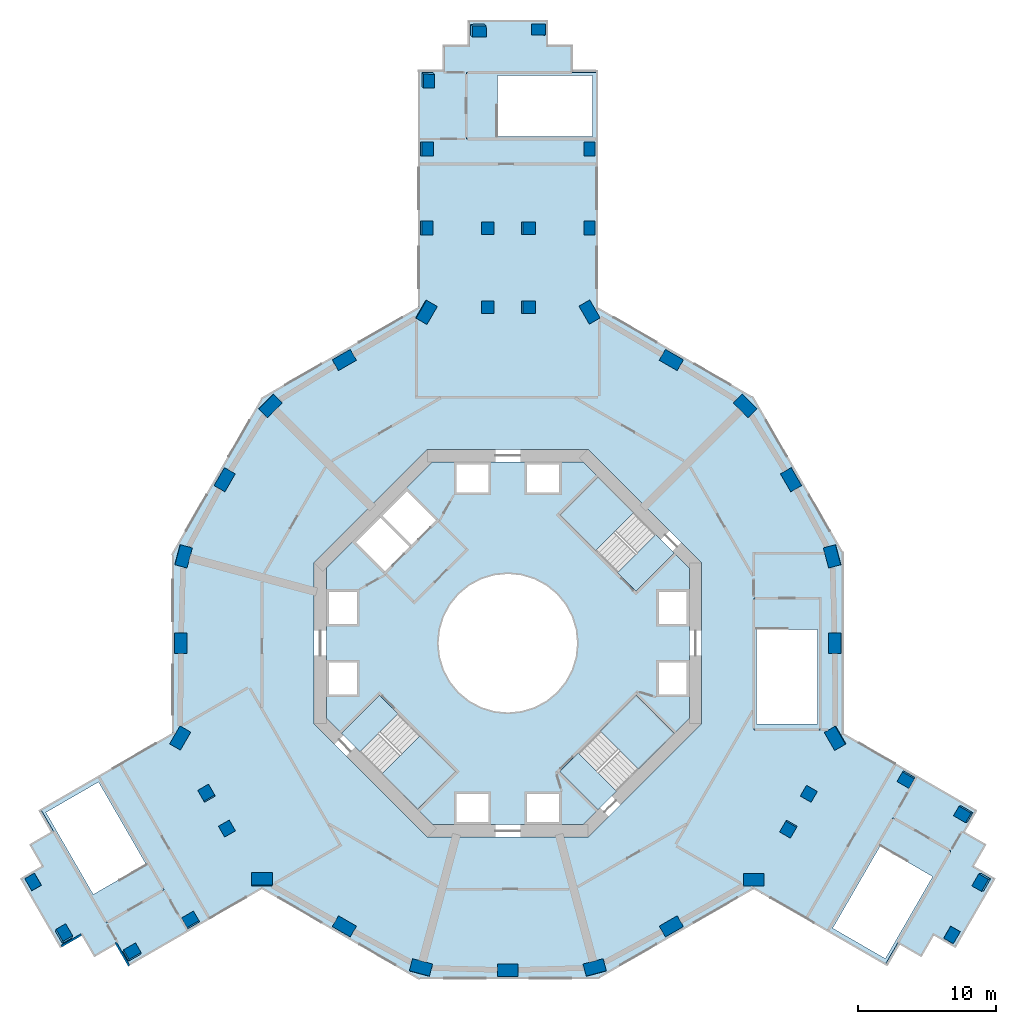
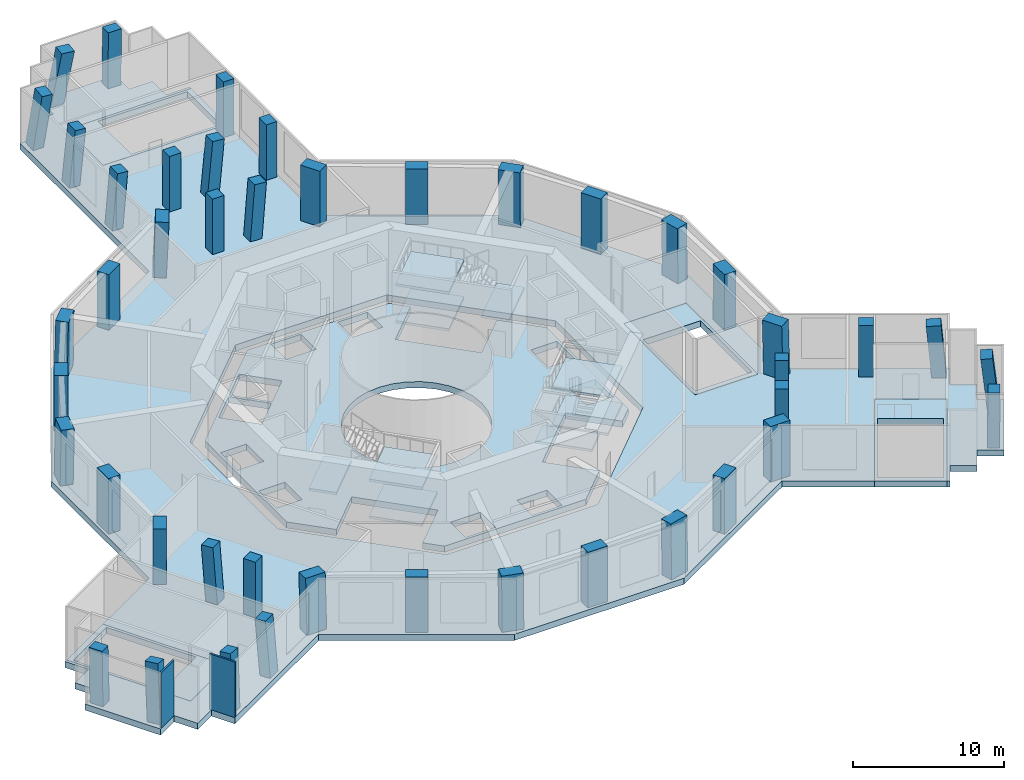
# One storey, part 1 of 12: 44 columns, 15 slabs, 2 walls, 3 elements without a shape of their own.
"""IFC4 building model written with IfcOpenShell, lengths in metres."""

from ifc_helpers import new_model, si_unit, direction, frame, frame_2d, origin, origin_2d, place, context, subcontext, project, spatial, polyline, rectangle, outline, extrude, material, layer, layer_set, material_profile, profile_set, type_object, element, aggregate, save


model = new_model("IFC4")

# Units and contexts
model_context = context("Model", 3, precision=1e-05, world=origin(), true_north=direction((0.0, 1.0)))
body_context = subcontext(model_context, "Body", "Model", "MODEL_VIEW")
ifc_project = project(units=[si_unit("LENGTHUNIT", "METRE"), si_unit("AREAUNIT", "SQUARE_METRE"), si_unit("VOLUMEUNIT", "CUBIC_METRE"), si_unit("PLANEANGLEUNIT", "RADIAN"), si_unit("MASSUNIT", "GRAM", prefix="KILO")], contexts=[model_context])

# Site, building, storey
site_placement = place(None, origin())
site = spatial("IfcSite", under=ifc_project, at=site_placement, CompositionType="ELEMENT")
building_placement = place(site_placement, origin())
building = spatial("IfcBuilding", under=site, at=building_placement, Name="Verdalira Terraces Hotel", CompositionType="ELEMENT")
storey_placement = place(building_placement, frame((0.0, 0.0, 28.0)))
storey = spatial("IfcBuildingStorey", under=building, at=storey_placement, Name="L05", CompositionType="ELEMENT", Elevation=28.0)

# Columns
ifc_material_1 = material(Name="Concrete C80", Category="concrete")
ifc_material_profile_1 = material_profile(ifc_material_1, rectangle(XDim=1.0, YDim=0.800049, at=origin_2d()), Name="RC 1000X800")
ifc_profile_set_1 = profile_set([ifc_material_profile_1], Name="Concrete C80")
column_type_1 = type_object("IfcColumnType", Name="Column RC 1000X800 C80", PredefinedType="COLUMN", material=ifc_profile_set_1)
for number, where, z_axis, x_axis, name in (
    (1, (5.899902, 29.972168, 0.0), (0.0, 0.0, 1.0), (0.0, 1.0, 0.0), "Column C01"),
    (2, (5.899902, 35.686035, 0.0), (0.0, 0.0, 1.0), (0.0, 1.0, 0.0), "Column C02"),
):
    element("IfcColumn", number, at=place(storey_placement, frame(where, z_axis=z_axis, x_axis=x_axis)), inside=storey, type_object=column_type_1, Name=name, PredefinedType="COLUMN", context=body_context, shape_type="SweptSolid", body=[
        extrude(rectangle(XDim=1.0, YDim=0.800049, at=origin_2d()), origin(), (0.0, 0.0, 1.0), 4.5),
    ])
column_1_placement = place(storey_placement, frame((-5.800049, 40.699951, 0.0), z_axis=(0.099004221, -0.099004221, 0.990149649), x_axis=(-0.00985047, -0.995087013, -0.098512964)))
element("IfcColumn", 3, at=column_1_placement, inside=storey, type_object=column_type_1, Name="Column C03", PredefinedType="COLUMN", context=body_context, shape_type="SweptSolid", body=[
    extrude(rectangle(XDim=1.0, YDim=0.800049, at=origin_2d()), origin(), (0.0, 0.0, 1.0), 4.544678),
])
column_2_placement = place(storey_placement, frame((-5.899902, 35.686035, 0.0), z_axis=(0.099493029, 0.0, 0.995038259), x_axis=(0.0, -1.0, 0.0)))
element("IfcColumn", 4, at=column_2_placement, inside=storey, type_object=column_type_1, Name="Column C04", PredefinedType="COLUMN", context=body_context, shape_type="SweptSolid", body=[
    extrude(rectangle(XDim=1.0, YDim=0.800049, at=origin_2d()), origin(), (0.0, 0.0, 1.0), 4.522461),
])
column_3_placement = place(storey_placement, frame((-5.899902, 29.972168, 0.0), z_axis=(0.084655948, 0.0, 0.996410242), x_axis=(0.0, -1.0, 0.0)))
element("IfcColumn", 5, at=column_3_placement, inside=storey, type_object=column_type_1, Name="Column C05", PredefinedType="COLUMN", context=body_context, shape_type="SweptSolid", body=[
    extrude(rectangle(XDim=1.0, YDim=0.800049, at=origin_2d()), origin(), (0.0, 0.0, 1.0), 4.516113),
])
column_4_placement = place(storey_placement, frame((-34.268799, -17.244629, 0.0), z_axis=(-0.011392437, 0.003037983, 0.999930489), x_axis=(0.500958571, -0.86543111, 0.008336884)))
element("IfcColumn", 6, at=column_4_placement, inside=storey, type_object=column_type_1, Name="Column C13", PredefinedType="COLUMN", context=body_context, shape_type="SweptSolid", body=[
    extrude(rectangle(XDim=1.0, YDim=0.800049, at=origin_2d()), origin(), (0.0, 0.0, 1.0), 4.500244),
])
column_5_placement = place(storey_placement, frame((-32.068848, -21.05542, 0.0), z_axis=(0.036839002, 0.137474992, 0.98981994), x_axis=(0.506261539, -0.856548091, 0.100123031)))
element("IfcColumn", 7, at=column_5_placement, inside=storey, type_object=column_type_1, Name="Column C14", PredefinedType="COLUMN", context=body_context, shape_type="SweptSolid", body=[
    extrude(rectangle(XDim=1.0, YDim=0.800049, at=origin_2d()), origin(), (0.0, 0.0, 1.0), 4.546387),
])
column_6_placement = place(storey_placement, frame((-27.151123, -22.372803, 0.0), z_axis=(0.030280943, 0.113041669, 0.993128715), x_axis=(0.866456981, 0.492394003, -0.082464814)))
element("IfcColumn", 8, at=column_6_placement, inside=storey, type_object=column_type_1, Name="Column C15", PredefinedType="COLUMN", context=body_context, shape_type="SweptSolid", body=[
    extrude(rectangle(XDim=1.0, YDim=0.800049, at=origin_2d()), origin(), (0.0, 0.0, 1.0), 4.53125),
])
column_7_placement = place(storey_placement, frame((-22.882812, -20.02417, 0.0), z_axis=(-0.041522775, 0.07190793, 0.996546591), x_axis=(0.865990401, 0.500060622, 0.0)))
element("IfcColumn", 9, at=column_7_placement, inside=storey, type_object=column_type_1, Name="Column C16", PredefinedType="COLUMN", context=body_context, shape_type="SweptSolid", body=[
    extrude(rectangle(XDim=1.0, YDim=0.800049, at=origin_2d()), origin(), (0.0, 0.0, 1.0), 4.515625),
])
column_8_placement = place(storey_placement, frame((32.068848, -21.05542, 0.0), z_axis=(0.003037985, -0.011338195, 0.999931106), x_axis=(0.500048177, 0.865957813, 0.008299831)))
element("IfcColumn", 10, at=column_8_placement, inside=storey, type_object=column_type_1, Name="Column C24", PredefinedType="COLUMN", context=body_context, shape_type="SweptSolid", body=[
    extrude(rectangle(XDim=1.0, YDim=0.800049, at=origin_2d()), origin(), (0.0, 0.0, 1.0), 4.500244),
])
column_9_placement = place(storey_placement, frame((34.268799, -17.244629, 0.0), z_axis=(-0.137474992, -0.036839002, 0.98981994), x_axis=(0.488630007, 0.866727232, 0.100123031)))
element("IfcColumn", 11, at=column_9_placement, inside=storey, type_object=column_type_1, Name="Column C25", PredefinedType="COLUMN", context=body_context, shape_type="SweptSolid", body=[
    extrude(rectangle(XDim=1.0, YDim=0.800049, at=origin_2d()), origin(), (0.0, 0.0, 1.0), 4.546387),
])
column_10_placement = place(storey_placement, frame((32.951172, -12.327148, 0.0), z_axis=(-0.113094861, -0.030280758, 0.993122665), x_axis=(-0.859519435, 0.504400563, -0.082500986)))
element("IfcColumn", 12, at=column_10_placement, inside=storey, type_object=column_type_1, Name="Column C26", PredefinedType="COLUMN", context=body_context, shape_type="SweptSolid", body=[
    extrude(rectangle(XDim=1.0, YDim=0.800049, at=origin_2d()), origin(), (0.0, 0.0, 1.0), 4.53125),
])
column_11_placement = place(storey_placement, frame((28.782715, -9.804932, 0.0), z_axis=(-0.041522613, -0.071961716, 0.996542716), x_axis=(-0.866153083, 0.499778788, 0.0)))
element("IfcColumn", 13, at=column_11_placement, inside=storey, type_object=column_type_1, Name="Column C27", PredefinedType="COLUMN", context=body_context, shape_type="SweptSolid", body=[
    extrude(rectangle(XDim=1.0, YDim=0.800049, at=origin_2d()), origin(), (0.0, 0.0, 1.0), 4.515625),
])
column_12_placement = place(storey_placement, frame((2.199951, 44.300049, 0.0), z_axis=(0.008354455, 0.008300206, 0.999930652), x_axis=(-0.999959795, 0.003326778, 0.008327084)))
element("IfcColumn", 14, at=column_12_placement, inside=storey, type_object=column_type_1, Name="Column C35", PredefinedType="COLUMN", context=body_context, shape_type="SweptSolid", body=[
    extrude(rectangle(XDim=1.0, YDim=0.800049, at=origin_2d()), origin(), (0.0, 0.0, 1.0), 4.500244),
])
column_13_placement = place(storey_placement, frame((-2.199951, 44.300049, 0.0), z_axis=(0.116704103, -0.116704103, 0.986286117), x_axis=(-0.993166729, -0.013713902, 0.115895541)))
element("IfcColumn", 15, at=column_13_placement, inside=storey, type_object=column_type_1, Name="Column C36", PredefinedType="COLUMN", context=body_context, shape_type="SweptSolid", body=[
    extrude(rectangle(XDim=1.0, YDim=0.800049, at=origin_2d()), origin(), (0.0, 0.0, 1.0), 4.5625),
])
ifc_material_2 = material(Name="Concrete C80", Category="concrete")
ifc_material_profile_2 = material_profile(ifc_material_2, rectangle(XDim=1.5, YDim=0.899902, at=origin_2d()), Name="RC 1500X900")
ifc_profile_set_2 = profile_set([ifc_material_profile_2], Name="Concrete C80")
column_type_2 = type_object("IfcColumnType", Name="Column RC 1500X900 C80", PredefinedType="COLUMN", material=ifc_profile_set_2)
column_14_placement = place(storey_placement, frame((-5.899902, 23.911865, 0.0), z_axis=(0.036588384, -0.021139955, 0.999106797), x_axis=(0.500277598, 0.865865073, 0.0)))
element("IfcColumn", 16, at=column_14_placement, inside=storey, type_object=column_type_2, Name="Column C06", PredefinedType="COLUMN", context=body_context, shape_type="SweptSolid", body=[
    extrude(rectangle(XDim=1.5, YDim=0.899902, at=origin_2d()), origin(), (0.0, 0.0, 1.0), 4.503906),
])
column_15_placement = place(storey_placement, frame((-11.804199, 20.445312, 0.0), z_axis=(0.0, 0.0, 1.0), x_axis=(-0.866025404, -0.5, 0.0)))
element("IfcColumn", 17, at=column_15_placement, inside=storey, type_object=column_type_2, Name="Column C07", PredefinedType="COLUMN", context=body_context, shape_type="SweptSolid", body=[
    extrude(rectangle(XDim=1.5, YDim=0.899902, at=origin_2d()), origin(), (0.0, 0.0, 1.0), 4.5),
])
column_16_placement = place(storey_placement, frame((-17.150635, 17.150635, 0.0), z_axis=(0.012205213, -0.012205213, 0.999851022), x_axis=(0.707106781, 0.707106781, 0.0)))
element("IfcColumn", 18, at=column_16_placement, inside=storey, type_object=column_type_2, Name="Column C08", PredefinedType="COLUMN", context=body_context, shape_type="SweptSolid", body=[
    extrude(rectangle(XDim=1.5, YDim=0.899902, at=origin_2d()), origin(), (0.0, 0.0, 1.0), 4.500732),
])
column_17_placement = place(storey_placement, frame((-20.445312, 11.804199, 0.0), z_axis=(0.0, 0.0, 1.0), x_axis=(-0.5, -0.866025404, 0.0)))
element("IfcColumn", 19, at=column_17_placement, inside=storey, type_object=column_type_2, Name="Column C09", PredefinedType="COLUMN", context=body_context, shape_type="SweptSolid", body=[
    extrude(rectangle(XDim=1.5, YDim=0.899902, at=origin_2d()), origin(), (0.0, 0.0, 1.0), 4.5),
])
column_18_placement = place(storey_placement, frame((-23.428223, 6.277588, 0.0), z_axis=(0.016653341, -0.004448124, 0.999851429), x_axis=(0.258054373, 0.966130395, 0.0)))
element("IfcColumn", 20, at=column_18_placement, inside=storey, type_object=column_type_2, Name="Column C10", PredefinedType="COLUMN", context=body_context, shape_type="SweptSolid", body=[
    extrude(rectangle(XDim=1.5, YDim=0.899902, at=origin_2d()), origin(), (0.0, 0.0, 1.0), 4.500732),
])
for number, where, z_axis, x_axis, name in (
    (21, (-23.608398, 0.0, 0.0), (0.0, 0.0, 1.0), (0.0, -1.0, 0.0), "Column C11"),
    (22, (-23.658203, -6.846436, 0.0), (0.0, 0.0, 1.0), (0.5, 0.866025404, 0.0), "Column C12"),
):
    element("IfcColumn", number, at=place(storey_placement, frame(where, z_axis=z_axis, x_axis=x_axis)), inside=storey, type_object=column_type_2, Name=name, PredefinedType="COLUMN", context=body_context, shape_type="SweptSolid", body=[
        extrude(rectangle(XDim=1.5, YDim=0.899902, at=origin_2d()), origin(), (0.0, 0.0, 1.0), 4.5),
    ])
column_19_placement = place(storey_placement, frame((-17.758301, -17.06543, 0.0), z_axis=(0.0, 0.042279868, 0.999105807), x_axis=(-1.0, 0.0, 0.0)))
element("IfcColumn", 23, at=column_19_placement, inside=storey, type_object=column_type_2, Name="Column C17", PredefinedType="COLUMN", context=body_context, shape_type="SweptSolid", body=[
    extrude(rectangle(XDim=1.5, YDim=0.899902, at=origin_2d()), origin(), (0.0, 0.0, 1.0), 4.503906),
])
column_20_placement = place(storey_placement, frame((-11.804199, -20.445312, 0.0), z_axis=(0.0, 0.0, 1.0), x_axis=(0.866025404, -0.5, 0.0)))
element("IfcColumn", 24, at=column_20_placement, inside=storey, type_object=column_type_2, Name="Column C18", PredefinedType="COLUMN", context=body_context, shape_type="SweptSolid", body=[
    extrude(rectangle(XDim=1.5, YDim=0.899902, at=origin_2d()), origin(), (0.0, 0.0, 1.0), 4.5),
])
column_21_placement = place(storey_placement, frame((-6.277588, -23.428223, 0.0), z_axis=(0.004448124, 0.016653341, 0.999851429), x_axis=(-0.966130395, 0.258054373, 0.0)))
element("IfcColumn", 25, at=column_21_placement, inside=storey, type_object=column_type_2, Name="Column C19", PredefinedType="COLUMN", context=body_context, shape_type="SweptSolid", body=[
    extrude(rectangle(XDim=1.5, YDim=0.899902, at=origin_2d()), origin(), (0.0, 0.0, 1.0), 4.500732),
])
column_22_placement = place(storey_placement, frame((0.0, -23.608398, 0.0), z_axis=(0.0, 0.0, 1.0), x_axis=(1.0, 0.0, 0.0)))
element("IfcColumn", 26, at=column_22_placement, inside=storey, type_object=column_type_2, Name="Column C20", PredefinedType="COLUMN", context=body_context, shape_type="SweptSolid", body=[
    extrude(rectangle(XDim=1.5, YDim=0.899902, at=origin_2d()), origin(), (0.0, 0.0, 1.0), 4.5),
])
column_23_placement = place(storey_placement, frame((6.277588, -23.428223, 0.0), z_axis=(-0.004448124, 0.016653341, 0.999851429), x_axis=(-0.966130395, -0.258054373, 0.0)))
element("IfcColumn", 27, at=column_23_placement, inside=storey, type_object=column_type_2, Name="Column C21", PredefinedType="COLUMN", context=body_context, shape_type="SweptSolid", body=[
    extrude(rectangle(XDim=1.5, YDim=0.899902, at=origin_2d()), origin(), (0.0, 0.0, 1.0), 4.500732),
])
for number, where, z_axis, x_axis, name in (
    (28, (11.804199, -20.445312, 0.0), (0.0, 0.0, 1.0), (0.866025404, 0.5, 0.0), "Column C22"),
    (29, (17.758301, -17.06543, 0.0), (0.0, 0.0, 1.0), (-1.0, 0.0, 0.0), "Column C23"),
):
    element("IfcColumn", number, at=place(storey_placement, frame(where, z_axis=z_axis, x_axis=x_axis)), inside=storey, type_object=column_type_2, Name=name, PredefinedType="COLUMN", context=body_context, shape_type="SweptSolid", body=[
        extrude(rectangle(XDim=1.5, YDim=0.899902, at=origin_2d()), origin(), (0.0, 0.0, 1.0), 4.5),
    ])
column_24_placement = place(storey_placement, frame((23.658203, -6.846436, 0.0), z_axis=(-0.036588384, -0.021139955, 0.999106797), x_axis=(0.500277598, -0.865865073, 0.0)))
element("IfcColumn", 30, at=column_24_placement, inside=storey, type_object=column_type_2, Name="Column C28", PredefinedType="COLUMN", context=body_context, shape_type="SweptSolid", body=[
    extrude(rectangle(XDim=1.5, YDim=0.899902, at=origin_2d()), origin(), (0.0, 0.0, 1.0), 4.503906),
])
column_25_placement = place(storey_placement, frame((23.608398, 0.0, 0.0), z_axis=(0.0, 0.0, 1.0), x_axis=(0.0, 1.0, 0.0)))
element("IfcColumn", 31, at=column_25_placement, inside=storey, type_object=column_type_2, Name="Column C29", PredefinedType="COLUMN", context=body_context, shape_type="SweptSolid", body=[
    extrude(rectangle(XDim=1.5, YDim=0.899902, at=origin_2d()), origin(), (0.0, 0.0, 1.0), 4.5),
])
column_26_placement = place(storey_placement, frame((23.428223, 6.277588, 0.0), z_axis=(-0.016653341, -0.004448124, 0.999851429), x_axis=(0.258054373, -0.966130395, 0.0)))
element("IfcColumn", 32, at=column_26_placement, inside=storey, type_object=column_type_2, Name="Column C30", PredefinedType="COLUMN", context=body_context, shape_type="SweptSolid", body=[
    extrude(rectangle(XDim=1.5, YDim=0.899902, at=origin_2d()), origin(), (0.0, 0.0, 1.0), 4.500732),
])
column_27_placement = place(storey_placement, frame((20.445312, 11.804199, 0.0), z_axis=(0.0, 0.0, 1.0), x_axis=(-0.5, 0.866025404, 0.0)))
element("IfcColumn", 33, at=column_27_placement, inside=storey, type_object=column_type_2, Name="Column C31", PredefinedType="COLUMN", context=body_context, shape_type="SweptSolid", body=[
    extrude(rectangle(XDim=1.5, YDim=0.899902, at=origin_2d()), origin(), (0.0, 0.0, 1.0), 4.5),
])
column_28_placement = place(storey_placement, frame((17.150635, 17.150635, 0.0), z_axis=(-0.012205213, -0.012205213, 0.999851022), x_axis=(0.707106781, -0.707106781, 0.0)))
element("IfcColumn", 34, at=column_28_placement, inside=storey, type_object=column_type_2, Name="Column C32", PredefinedType="COLUMN", context=body_context, shape_type="SweptSolid", body=[
    extrude(rectangle(XDim=1.5, YDim=0.899902, at=origin_2d()), origin(), (0.0, 0.0, 1.0), 4.500732),
])
for number, where, z_axis, x_axis, name in (
    (35, (11.804199, 20.445312, 0.0), (0.0, 0.0, 1.0), (-0.866025404, 0.5, 0.0), "Column C33"),
    (36, (5.899902, 23.911865, 0.0), (0.0, 0.0, 1.0), (0.5, -0.866025404, 0.0), "Column C34"),
):
    element("IfcColumn", number, at=place(storey_placement, frame(where, z_axis=z_axis, x_axis=x_axis)), inside=storey, type_object=column_type_2, Name=name, PredefinedType="COLUMN", context=body_context, shape_type="SweptSolid", body=[
        extrude(rectangle(XDim=1.5, YDim=0.899902, at=origin_2d()), origin(), (0.0, 0.0, 1.0), 4.5),
    ])
ifc_material_3 = material(Name="Concrete C80", Category="concrete")
ifc_material_profile_3 = material_profile(ifc_material_3, rectangle(XDim=0.899902, YDim=0.899902, at=origin_2d()), Name="RC 900X900")
ifc_profile_set_3 = profile_set([ifc_material_profile_3], Name="Concrete C80")
column_type_3 = type_object("IfcColumnType", Name="Column RC 900X900 C80", PredefinedType="COLUMN", material=ifc_profile_set_3)
column_29_placement = place(storey_placement, frame((1.449951, 24.258301, 0.0), z_axis=(0.075844281, 0.0, 0.997119674), x_axis=(0.0, 1.0, 0.0)))
element("IfcColumn", 37, at=column_29_placement, inside=storey, type_object=column_type_3, Name="Column C37", PredefinedType="COLUMN", context=body_context, shape_type="SweptSolid", body=[
    extrude(rectangle(XDim=0.899902, YDim=0.899902, at=origin_2d()), origin(), (0.0, 0.0, 1.0), 4.512939),
])
column_30_placement = place(storey_placement, frame((-1.449951, 24.258301, 0.0), z_axis=(0.0, 0.0, 1.0), x_axis=(0.0, 1.0, 0.0)))
element("IfcColumn", 38, at=column_30_placement, inside=storey, type_object=column_type_3, Name="Column C38", PredefinedType="COLUMN", context=body_context, shape_type="SweptSolid", body=[
    extrude(rectangle(XDim=0.899902, YDim=0.899902, at=origin_2d()), origin(), (0.0, 0.0, 1.0), 4.5),
])
column_31_placement = place(storey_placement, frame((1.449951, 29.972168, 0.0), z_axis=(0.091626825, 0.0, 0.995793415), x_axis=(0.0, 1.0, 0.0)))
element("IfcColumn", 39, at=column_31_placement, inside=storey, type_object=column_type_3, Name="Column C39", PredefinedType="COLUMN", context=body_context, shape_type="SweptSolid", body=[
    extrude(rectangle(XDim=0.899902, YDim=0.899902, at=origin_2d()), origin(), (0.0, 0.0, 1.0), 4.519043),
])
column_32_placement = place(storey_placement, frame((-1.449951, 29.972168, 0.0), z_axis=(0.0, 0.0, 1.0), x_axis=(0.0, 1.0, 0.0)))
element("IfcColumn", 40, at=column_32_placement, inside=storey, type_object=column_type_3, Name="Column C40", PredefinedType="COLUMN", context=body_context, shape_type="SweptSolid", body=[
    extrude(rectangle(XDim=0.899902, YDim=0.899902, at=origin_2d()), origin(), (0.0, 0.0, 1.0), 4.5),
])
column_33_placement = place(storey_placement, frame((-21.733398, -10.873291, 0.0), z_axis=(-0.037922163, 0.065674045, 0.997120268), x_axis=(-0.86599551, -0.500051773, 0.0)))
element("IfcColumn", 41, at=column_33_placement, inside=storey, type_object=column_type_3, Name="Column C41", PredefinedType="COLUMN", context=body_context, shape_type="SweptSolid", body=[
    extrude(rectangle(XDim=0.899902, YDim=0.899902, at=origin_2d()), origin(), (0.0, 0.0, 1.0), 4.512939),
])
column_34_placement = place(storey_placement, frame((-20.283203, -13.38501, 0.0), z_axis=(0.0, 0.0, 1.0), x_axis=(-0.866025404, -0.5, 0.0)))
element("IfcColumn", 42, at=column_34_placement, inside=storey, type_object=column_type_3, Name="Column C42", PredefinedType="COLUMN", context=body_context, shape_type="SweptSolid", body=[
    extrude(rectangle(XDim=0.899902, YDim=0.899902, at=origin_2d()), origin(), (0.0, 0.0, 1.0), 4.5),
])
column_35_placement = place(storey_placement, frame((20.283203, -13.38501, 0.0), z_axis=(-0.037868143, -0.06567418, 0.997122312), x_axis=(0.866304362, -0.499516518, 0.0)))
element("IfcColumn", 43, at=column_35_placement, inside=storey, type_object=column_type_3, Name="Column C43", PredefinedType="COLUMN", context=body_context, shape_type="SweptSolid", body=[
    extrude(rectangle(XDim=0.899902, YDim=0.899902, at=origin_2d()), origin(), (0.0, 0.0, 1.0), 4.512939),
])
column_36_placement = place(storey_placement, frame((21.733398, -10.873291, 0.0), z_axis=(0.0, 0.0, 1.0), x_axis=(0.866025404, -0.5, 0.0)))
element("IfcColumn", 44, at=column_36_placement, inside=storey, type_object=column_type_3, Name="Column C44", PredefinedType="COLUMN", context=body_context, shape_type="SweptSolid", body=[
    extrude(rectangle(XDim=0.899902, YDim=0.899902, at=origin_2d()), origin(), (0.0, 0.0, 1.0), 4.5),
])

# Slab
ifc_material_4 = material(Name="Concrete C40", Category="concrete")
ifc_layer_1 = layer(ifc_material_4, 0.5)
ifc_layer_set_1 = layer_set([ifc_layer_1], Name="Core floor slab 500 mm")
slab_type_1 = type_object("IfcSlabType", Name="Core floor slab 500 mm", PredefinedType="FLOOR", material=ifc_layer_set_1)
slab_1_placement = place(storey_placement, frame((0.0, 0.0, -0.5)))
element("IfcSlab", 45, at=slab_1_placement, inside=storey, type_object=slab_type_1, Name="L05 core floor", PredefinedType="FLOOR", context=body_context, shape_type="SweptSolid", body=[
    extrude(outline(polyline([(-5.42627, 13.100098), (5.42627, 13.100098), (6.491211, 12.034912), (3.719482, 9.263184), (7.905029, 5.077393), (10.677002, 7.849121), (13.100098, 5.42627), (13.100098, -5.42627), (12.034912, -6.491211), (9.263184, -3.719482), (5.077393, -7.905029), (7.849121, -10.677002), (5.42627, -13.100098), (-5.42627, -13.100098), (-6.491211, -12.034912), (-3.719482, -9.263184), (-7.905029, -5.077393), (-10.677002, -7.849121), (-13.100098, -5.42627), (-13.100098, 5.42627), (-5.42627, 13.100098)]), holes=[polyline([(12.899902, -3.699951), (12.899902, -1.399902), (10.899902, -1.399902), (10.899902, -3.699951), (12.899902, -3.699951)]), polyline([(12.899902, 1.399902), (12.899902, 3.699951), (10.899902, 3.699951), (10.899902, 1.399902), (12.899902, 1.399902)]), polyline([(1.399902, 10.899902), (3.699951, 10.899902), (3.699951, 12.899902), (1.399902, 12.899902), (1.399902, 10.899902)]), polyline([(-3.699951, 10.899902), (-1.399902, 10.899902), (-1.399902, 12.899902), (-3.699951, 12.899902), (-3.699951, 10.899902)]), polyline([(-12.899902, 3.699951), (-12.899902, 1.399902), (-10.899902, 1.399902), (-10.899902, 3.699951), (-12.899902, 3.699951)]), polyline([(-12.899902, -1.399902), (-12.899902, -3.699951), (-10.899902, -3.699951), (-10.899902, -1.399902), (-12.899902, -1.399902)]), polyline([(-1.399902, -10.899902), (-3.699951, -10.899902), (-3.699951, -12.899902), (-1.399902, -12.899902), (-1.399902, -10.899902)]), polyline([(3.699951, -10.899902), (1.399902, -10.899902), (1.399902, -12.899902), (3.699951, -12.899902), (3.699951, -10.899902)]), polyline([(-9.051025, 9.192383), (-6.965088, 7.106445), (-5.197266, 8.874268), (-7.283203, 10.960205), (-9.051025, 9.192383)]), polyline([(-9.192383, 9.051025), (-10.960205, 7.283203), (-8.874268, 5.197266), (-7.106445, 6.965088), (-9.192383, 9.051025)]), polyline([(3.5354, 3.5354), (2.777832, 4.157227), (1.91333, 4.619385), (0.975586, 4.903809), (0.0, 5.0), (-0.975586, 4.903809), (-1.91333, 4.619385), (-2.777832, 4.157227), (-3.5354, 3.5354), (-4.157227, 2.777832), (-4.619385, 1.91333), (-4.903809, 0.975586), (-5.0, 0.0), (-4.903809, -0.975586), (-4.619385, -1.91333), (-4.157227, -2.777832), (-3.5354, -3.5354), (-2.777832, -4.157227), (-1.91333, -4.619385), (-0.975586, -4.903809), (0.0, -5.0), (0.975586, -4.903809), (1.91333, -4.619385), (2.777832, -4.157227), (3.5354, -3.5354), (4.157227, -2.777832), (4.619385, -1.91333), (4.903809, -0.975586), (5.0, 0.0), (4.903809, 0.975586), (4.619385, 1.91333), (4.157227, 2.777832), (3.5354, 3.5354)])]), origin(), (0.0, 0.0, 1.0), 0.5),
])

# Stair, slabs
ifc_material_5 = material(Name="Concrete C40", Category="concrete")
stair_type = type_object("IfcStairType", Name="Core stair 36 risers 1900 mm wide", PredefinedType="HALF_TURN_STAIR", material=ifc_material_5)
stair_1_placement = place(storey_placement, origin())
stair_1 = element("IfcStair", 46, at=stair_1_placement, inside=storey, type_object=stair_type, Name="L05 Exit stair ST1", PredefinedType="HALF_TURN_STAIR")
ifc_material_6 = material(Name="Concrete C40", Category="concrete")
ifc_layer_2 = layer(ifc_material_6, 0.199951171875)
ifc_layer_set_2 = layer_set([ifc_layer_2], Name="Core stair landing 200 mm")
slab_type_2 = type_object("IfcSlabType", Name="Core stair landing 200 mm", PredefinedType="LANDING", material=ifc_layer_set_2)
slab_2_placement = place(storey_placement, frame((0.0, 0.0, 1.300049)))
slab_2 = element("IfcSlab", 47, at=slab_2_placement, type_object=slab_type_2, Name="ST1 landing 1", PredefinedType="LANDING", context=body_context, shape_type="SweptSolid", body=[
    extrude(outline(polyline([(9.09375, 9.432373), (6.505371, 12.020752), (3.747559, 9.263184), (6.335938, 6.674805), (9.09375, 9.432373)])), origin(), (0.0, 0.0, 1.0), 0.199951),
])
slab_3_placement = place(storey_placement, frame((0.0, 0.0, 2.800049)))
slab_3 = element("IfcSlab", 48, at=slab_3_placement, type_object=slab_type_2, Name="ST1 landing 2", PredefinedType="LANDING", context=body_context, shape_type="SweptSolid", body=[
    extrude(outline(polyline([(12.020752, 6.505371), (10.677002, 7.849121), (7.919189, 5.091553), (9.263184, 3.747559), (12.020752, 6.505371)])), origin(), (0.0, 0.0, 1.0), 0.199951),
])
slab_4_placement = place(storey_placement, frame((0.0, 0.0, 4.300049)))
slab_4 = element("IfcSlab", 49, at=slab_4_placement, type_object=slab_type_2, Name="ST1 landing 3", PredefinedType="LANDING", context=body_context, shape_type="SweptSolid", body=[
    extrude(outline(polyline([(9.09375, 9.432373), (6.505371, 12.020752), (3.747559, 9.263184), (6.335938, 6.674805), (9.09375, 9.432373)])), origin(), (0.0, 0.0, 1.0), 0.199951),
])
aggregate(stair_1, [slab_2, slab_3, slab_4])

stair_2_placement = place(storey_placement, origin())
stair_2 = element("IfcStair", 50, at=stair_2_placement, inside=storey, type_object=stair_type, Name="L05 Exit stair ST2", PredefinedType="HALF_TURN_STAIR")
slab_5_placement = place(storey_placement, frame((0.0, 0.0, 1.300049)))
slab_5 = element("IfcSlab", 51, at=slab_5_placement, type_object=slab_type_2, Name="ST2 landing 1", PredefinedType="LANDING", context=body_context, shape_type="SweptSolid", body=[
    extrude(outline(polyline([(-9.09375, -9.432373), (-6.505371, -12.020752), (-3.747559, -9.263184), (-6.335938, -6.674805), (-9.09375, -9.432373)])), origin(), (0.0, 0.0, 1.0), 0.199951),
])
slab_6_placement = place(storey_placement, frame((0.0, 0.0, 2.800049)))
slab_6 = element("IfcSlab", 52, at=slab_6_placement, type_object=slab_type_2, Name="ST2 landing 2", PredefinedType="LANDING", context=body_context, shape_type="SweptSolid", body=[
    extrude(outline(polyline([(-12.020752, -6.505371), (-10.677002, -7.849121), (-7.919189, -5.091553), (-9.263184, -3.747559), (-12.020752, -6.505371)])), origin(), (0.0, 0.0, 1.0), 0.199951),
])
slab_7_placement = place(storey_placement, frame((0.0, 0.0, 4.300049)))
slab_7 = element("IfcSlab", 53, at=slab_7_placement, type_object=slab_type_2, Name="ST2 landing 3", PredefinedType="LANDING", context=body_context, shape_type="SweptSolid", body=[
    extrude(outline(polyline([(-9.09375, -9.432373), (-6.505371, -12.020752), (-3.747559, -9.263184), (-6.335938, -6.674805), (-9.09375, -9.432373)])), origin(), (0.0, 0.0, 1.0), 0.199951),
])
aggregate(stair_2, [slab_5, slab_6, slab_7])

stair_3_placement = place(storey_placement, origin())
stair_3 = element("IfcStair", 54, at=stair_3_placement, inside=storey, type_object=stair_type, Name="L05 Exit stair ST3", PredefinedType="HALF_TURN_STAIR")
slab_8_placement = place(storey_placement, frame((0.0, 0.0, 1.300049)))
slab_8 = element("IfcSlab", 55, at=slab_8_placement, type_object=slab_type_2, Name="ST3 landing 1", PredefinedType="LANDING", context=body_context, shape_type="SweptSolid", body=[
    extrude(outline(polyline([(9.432373, -9.09375), (12.020752, -6.505371), (9.263184, -3.747559), (6.674805, -6.335938), (9.432373, -9.09375)])), origin(), (0.0, 0.0, 1.0), 0.199951),
])
slab_9_placement = place(storey_placement, frame((0.0, 0.0, 2.800049)))
slab_9 = element("IfcSlab", 56, at=slab_9_placement, type_object=slab_type_2, Name="ST3 landing 2", PredefinedType="LANDING", context=body_context, shape_type="SweptSolid", body=[
    extrude(outline(polyline([(6.505371, -12.020752), (7.849121, -10.677002), (5.091553, -7.919189), (3.747559, -9.263184), (6.505371, -12.020752)])), origin(), (0.0, 0.0, 1.0), 0.199951),
])
slab_10_placement = place(storey_placement, frame((0.0, 0.0, 4.300049)))
slab_10 = element("IfcSlab", 57, at=slab_10_placement, type_object=slab_type_2, Name="ST3 landing 3", PredefinedType="LANDING", context=body_context, shape_type="SweptSolid", body=[
    extrude(outline(polyline([(9.432373, -9.09375), (12.020752, -6.505371), (9.263184, -3.747559), (6.674805, -6.335938), (9.432373, -9.09375)])), origin(), (0.0, 0.0, 1.0), 0.199951),
])
aggregate(stair_3, [slab_8, slab_9, slab_10])

# Slabs
ifc_material_7 = material(Name="Concrete C40", Category="concrete")
ifc_layer_3 = layer(ifc_material_7, 0.5)
ifc_layer_set_3 = layer_set([ifc_layer_3], Name="Plant floor slab 500 C40")
slab_type_3 = type_object("IfcSlabType", Name="Plant floor slab 500 C40", PredefinedType="FLOOR", material=ifc_layer_set_3)
slab_11_placement = place(storey_placement, frame((0.0, 0.0, -0.5)))
element("IfcSlab", 58, at=slab_11_placement, inside=storey, type_object=slab_type_3, Name="Plant floor slab L05", PredefinedType="FLOOR", context=body_context, shape_type="SweptSolid", body=[
    extrude(outline(polyline([(33.007324, -13.629639), (33.907227, -12.070801), (24.258301, -6.5), (24.258301, 6.5), (17.758301, 17.758301), (6.5, 24.258301), (6.5, 36.399414), (-3.000488, 36.399414), (-3.000488, 41.200439), (6.5, 41.200439), (6.5, 41.399902), (4.699951, 41.399902), (4.699951, 43.199951), (2.899902, 43.199951), (2.899902, 45.0), (-2.899902, 45.0), (-2.899902, 43.199951), (-4.699951, 43.199951), (-4.699951, 41.399902), (-6.5, 41.399902), (-6.5, 24.258301), (-17.758301, 17.758301), (-24.258301, 6.5), (-24.258301, -6.5), (-29.57666, -9.570557), (-24.826416, -17.79834), (-28.984375, -20.19873), (-33.734619, -11.971191), (-33.907227, -12.070801), (-33.007324, -13.629639), (-34.566162, -14.529785), (-33.666016, -16.088379), (-35.225098, -16.988525), (-32.324951, -22.011475), (-30.766113, -21.111572), (-29.866211, -22.67041), (-28.307373, -21.770264), (-27.407227, -23.329102), (-17.758301, -17.758301), (-6.5, -24.258301), (6.5, -24.258301), (17.758301, -17.758301), (23.07666, -20.828857), (27.826904, -12.601318), (31.984863, -15.001709), (27.234619, -23.229492), (27.407227, -23.329102), (28.307373, -21.770264), (29.866211, -22.67041), (30.766113, -21.111572), (32.324951, -22.011475), (35.225098, -16.988525), (33.666016, -16.088379), (34.566162, -14.529785), (33.007324, -13.629639)]), holes=[polyline([(-5.799072, -14.0), (-14.0, -5.799072), (-14.0, 5.799072), (-5.799072, 14.0), (5.799072, 14.0), (14.0, 5.799072), (14.0, -5.799072), (5.799072, -14.0), (-5.799072, -14.0)]), polyline([(22.558838, -6.250488), (17.757812, -6.250488), (17.757812, 3.250488), (22.558838, 3.250488), (22.558838, -6.250488)])]), origin(), (0.0, 0.0, 1.0), 0.5),
])
ifc_material_8 = material(Name="Concrete C40", Category="concrete")
ifc_layer_4 = layer(ifc_material_8, 0.5)
ifc_layer_set_4 = layer_set([ifc_layer_4], Name="Stair enclosure floor slab 500 mm")
slab_type_4 = type_object("IfcSlabType", Name="Stair enclosure floor slab 500 mm", PredefinedType="FLOOR", material=ifc_layer_set_4)
slab_12_placement = place(storey_placement, frame((0.0, 0.0, -0.5)))
element("IfcSlab", 59, at=slab_12_placement, inside=storey, type_object=slab_type_4, Name="Stair PS1 floor slab", PredefinedType="FLOOR", context=body_context, shape_type="SweptSolid", body=[
    extrude(outline(polyline([(-2.999512, 36.400391), (-2.999512, 41.199463), (6.5, 41.199463), (6.5, 36.400391), (-2.999512, 36.400391)]), holes=[polyline([(-0.746094, 40.996094), (-0.746094, 36.604004), (6.095947, 36.604004), (6.095947, 40.996094), (-0.746094, 40.996094)])]), origin(), (0.0, 0.0, 1.0), 0.5),
])
slab_13_placement = place(storey_placement, frame((0.0, 0.0, -0.5)))
element("IfcSlab", 60, at=slab_13_placement, inside=storey, type_object=slab_type_4, Name="Stair PS2 floor slab", PredefinedType="FLOOR", context=body_context, shape_type="SweptSolid", body=[
    extrude(outline(polyline([(-24.827881, -17.797852), (-28.983887, -20.19751), (-33.733643, -11.970703), (-29.577637, -9.571045), (-24.827881, -17.797852)]), holes=[polyline([(-29.934326, -18.144043), (-26.130859, -15.947998), (-29.551758, -10.022705), (-33.355469, -12.21875), (-29.934326, -18.144043)])]), origin(), (0.0, 0.0, 1.0), 0.5),
])
slab_14_placement = place(storey_placement, frame((0.0, 0.0, -0.5)))
element("IfcSlab", 61, at=slab_14_placement, inside=storey, type_object=slab_type_4, Name="Stair PS3 floor slab", PredefinedType="FLOOR", context=body_context, shape_type="SweptSolid", body=[
    extrude(outline(polyline([(27.827393, -12.602539), (31.983398, -15.002197), (27.233643, -23.229004), (23.077637, -20.829346), (27.827393, -12.602539)]), holes=[polyline([(30.68042, -16.851807), (26.876709, -14.656006), (23.455811, -20.581299), (27.259521, -22.777344), (30.68042, -16.851807)])]), origin(), (0.0, 0.0, 1.0), 0.5),
])
slab_15_placement = place(storey_placement, frame((0.0, 0.0, -0.5)))
element("IfcSlab", 62, at=slab_15_placement, inside=storey, type_object=slab_type_4, Name="Stair PS4 floor slab", PredefinedType="FLOOR", context=body_context, shape_type="SweptSolid", body=[
    extrude(outline(polyline([(17.758789, 3.249512), (22.557861, 3.249512), (22.557861, -6.249512), (17.758789, -6.249512), (17.758789, 3.249512)]), holes=[polyline([(22.354248, 0.996094), (17.962402, 0.996094), (17.962402, -5.845947), (22.354248, -5.845947), (22.354248, 0.996094)])]), origin(), (0.0, 0.0, 1.0), 0.5),
])

# Walls
ifc_material_9 = material(Name="Terracotta cladding on steel stud backup", Category="masonry")
ifc_layer_5 = layer(ifc_material_9, 0.139892578125)
ifc_layer_set_5 = layer_set([ifc_layer_5], Name="Terracotta clad wall 140 mm")
wall_type = type_object("IfcWallType", Name="Terracotta clad wall 140 mm", PredefinedType="SOLIDWALL", material=ifc_layer_set_5)
wall_1_placement = place(storey_placement, frame((-32.23877, -21.880859, 0.0), z_axis=(0.0, 0.0, 1.0), x_axis=(0.866026406, 0.499998264, 0.0)))
element("IfcWall", 63, at=wall_1_placement, inside=storey, type_object=wall_type, Name="Podium facade wall", PredefinedType="SOLIDWALL", context=body_context, shape_type="SweptSolid", body=[
    extrude(rectangle(XDim=1.660156, YDim=0.139893, at=frame_2d((0.830078, 0.0))), origin(), (0.0, 0.0, 1.0), 4.5),
])
wall_2_placement = place(storey_placement, frame((-28.31665, -21.614014, 0.0), z_axis=(0.0, 0.0, 1.0), x_axis=(0.499969368, -0.866043088, 0.0)))
element("IfcWall", 64, at=wall_2_placement, inside=storey, type_object=wall_type, Name="Podium facade wall", PredefinedType="SOLIDWALL", context=body_context, shape_type="SweptSolid", body=[
    extrude(rectangle(XDim=1.939941, YDim=0.139893, at=frame_2d((0.969971, 0.0))), origin(), (0.0, 0.0, 1.0), 4.5),
])

save(model, "model.ifc")
